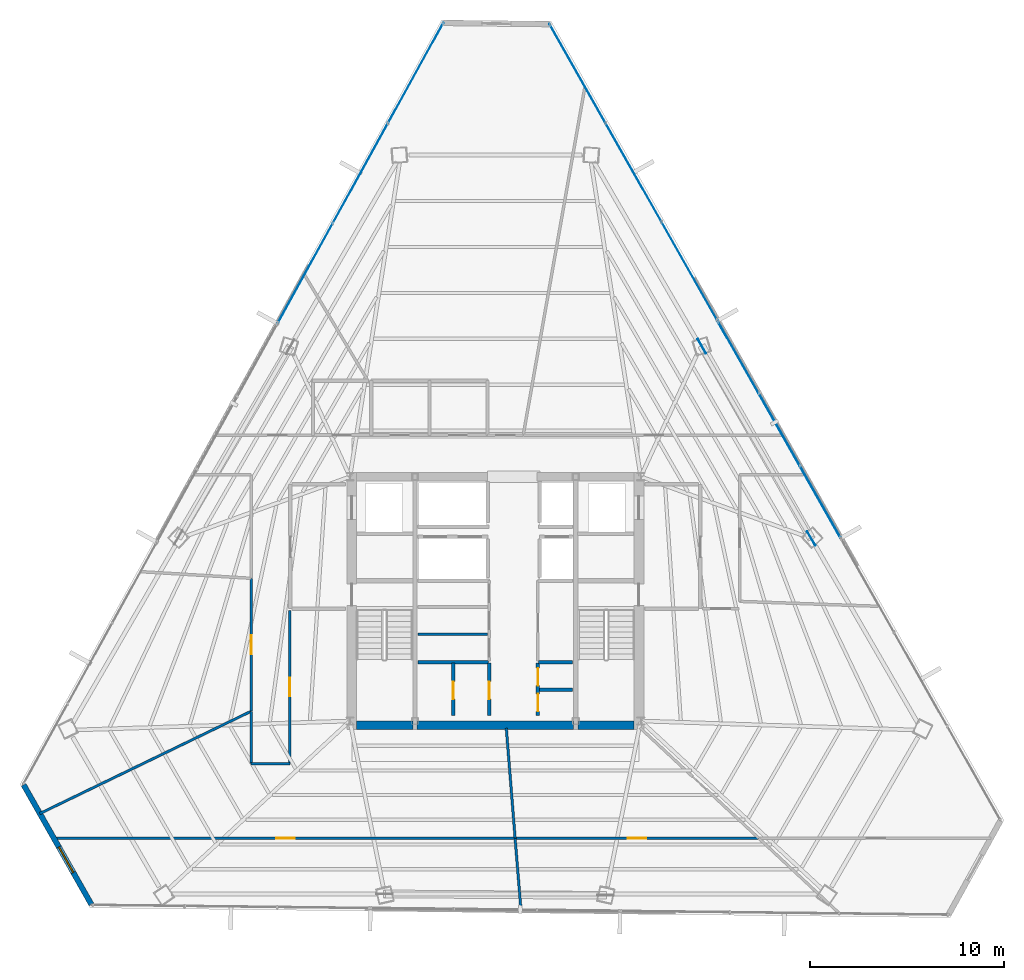
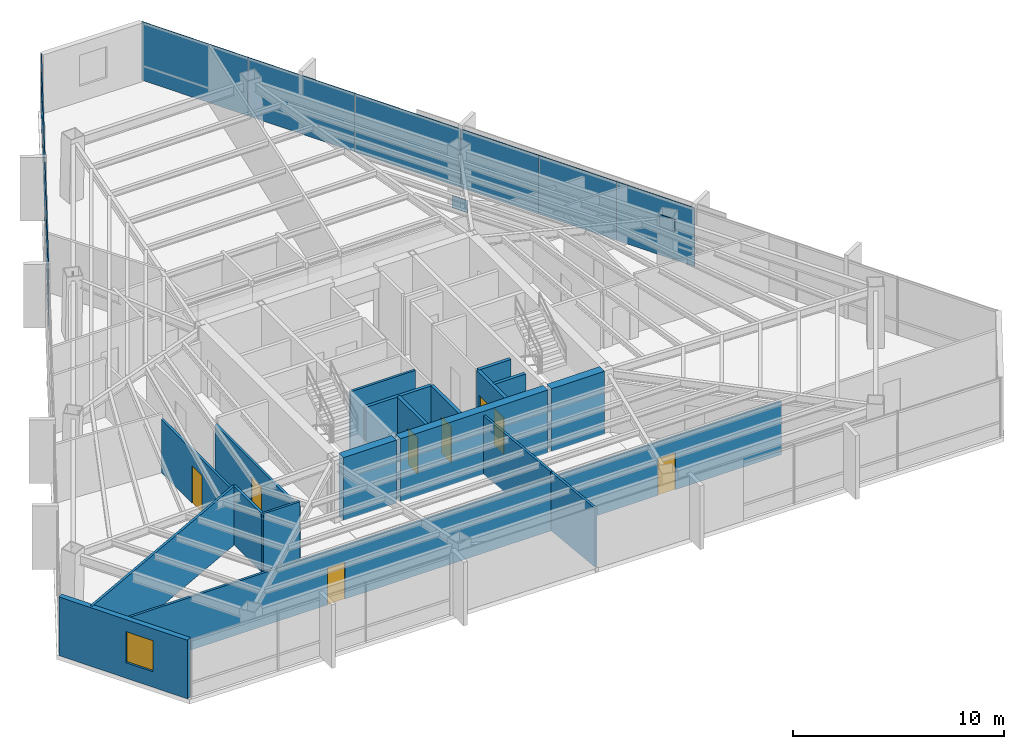
# One storey, part 35 of 41: 20 walls, 11 plates, 8 doors, 1 window, 9 openings, 3 elements without a shape of their own.
"""IFC4 building model written with IfcOpenShell, lengths in metres."""

import ifcopenshell
import ifcopenshell.guid

model = None  # the IFC model being written
_history = None  # IfcOwnerHistory: only IFC2X3 demands one
_inside = {}  # id of a spatial element -> (the spatial element, [elements in it])
_under = {}  # id of a project, library or spatial element -> (it, [spatial elements below it])
_declared = {}  # id of a project -> (the project, [libraries it declares])
_typed = {}  # id of a type object -> (the type object, [elements of that type])
_made_of = {}  # id of a material, layer set ... -> (it, [elements and type objects made of it])


def new_model(schema):
    """Start an empty IFC model of exactly this schema.

    Asked for "IFC4X3", IfcOpenShell would pick the latest addendum, in which some entities
    have other attributes; the version numbers below select the first issue.
    IFC2X3 requires an IfcOwnerHistory on every rooted entity: one is made here for all.
    """
    global model, _history
    if schema == "IFC4X3":
        model = ifcopenshell.file(schema_version=(4, 3, 0, 0))
    else:
        model = ifcopenshell.file(schema=schema)
    _inside.clear()
    _under.clear()
    _declared.clear()
    _typed.clear()
    _made_of.clear()
    _history = None
    if model.schema == "IFC2X3":
        org = make("IfcOrganization", Name="unknown")
        user = make(
            "IfcPersonAndOrganization",
            ThePerson=make("IfcPerson", FamilyName="unknown"),
            TheOrganization=org,
        )
        app = make(
            "IfcApplication",
            ApplicationDeveloper=org,
            Version="unknown",
            ApplicationFullName="unknown",
            ApplicationIdentifier="unknown",
        )
        _history = make(
            "IfcOwnerHistory",
            OwningUser=user,
            OwningApplication=app,
            ChangeAction="ADDED",
            CreationDate=0,
        )
    return model


def make(cls, **values):
    """One entity of the class cls with the attributes given. An attribute that is None is left unset."""
    return model.create_entity(
        cls, **{name: value for name, value in values.items() if value is not None}
    )


def rooted(cls, **values):
    """An entity with a GlobalId (a new one), such as an element, a storey or a relation."""
    return make(cls, GlobalId=ifcopenshell.guid.new(), OwnerHistory=_history, **values)


def si_unit(unit_type, name, prefix=None):
    """IfcSIUnit, for example si_unit("LENGTHUNIT", "METRE", prefix="MILLI")."""
    return make("IfcSIUnit", UnitType=unit_type, Prefix=prefix, Name=name)


def assignment(units):
    """IfcUnitAssignment: the units of a project."""
    return None if units is None else make("IfcUnitAssignment", Units=units)


def point(xyz):
    """IfcCartesianPoint."""
    return None if xyz is None else make("IfcCartesianPoint", Coordinates=xyz)


def direction(xyz):
    """IfcDirection."""
    return None if xyz is None else make("IfcDirection", DirectionRatios=xyz)


def frame(location, z_axis=None, x_axis=None):
    """IfcAxis2Placement3D, a coordinate frame: its origin and axes. An axis left out is left unset."""
    return make(
        "IfcAxis2Placement3D",
        Location=point(location),
        Axis=direction(z_axis),
        RefDirection=direction(x_axis),
    )


def frame_2d(location, x_axis=None):
    """IfcAxis2Placement2D, a coordinate frame in the plane: its origin and x axis."""
    return make(
        "IfcAxis2Placement2D", Location=point(location), RefDirection=direction(x_axis)
    )


def origin():
    """The frame at (0, 0, 0) with its axes left unset."""
    return frame((0.0, 0.0, 0.0))


def origin_2d():
    """The frame at (0, 0) in the plane with its x axis left unset."""
    return frame_2d((0.0, 0.0))


def place(relative_to, where):
    """IfcLocalPlacement: puts the frame where relative to a parent placement (None: the world)."""
    return make(
        "IfcLocalPlacement", PlacementRelTo=relative_to, RelativePlacement=where
    )


def context(
    kind, dimensions, precision=None, world=None, true_north=None, identifier=None
):
    """IfcGeometricRepresentationContext, for example the 3D "Model" context."""
    return make(
        "IfcGeometricRepresentationContext",
        ContextIdentifier=identifier,
        ContextType=kind,
        CoordinateSpaceDimension=dimensions,
        Precision=precision,
        WorldCoordinateSystem=world,
        TrueNorth=true_north,
    )


def subcontext(parent, identifier, kind, view, scale=None):
    """IfcGeometricRepresentationSubContext, for example "Body" below "Model"."""
    return make(
        "IfcGeometricRepresentationSubContext",
        ContextIdentifier=identifier,
        ContextType=kind,
        ParentContext=parent,
        TargetScale=scale,
        TargetView=view,
    )


def project(units=None, contexts=None):
    """IfcProject with its units and contexts."""
    return rooted(
        "IfcProject",
        Name="project",
        RepresentationContexts=contexts,
        UnitsInContext=assignment(units),
    )


def spatial(cls, under=None, at=None, **own):
    """A site, building, storey or space (cls), placed at a placement, below another one or the project."""
    s = rooted(cls, ObjectPlacement=at, **own)
    if under is not None:
        _under.setdefault(under.id(), (under, []))[1].append(s)
    return s


def profile(cls, at=None, kind="AREA", **sizes):
    """A parametric profile (cls). Its sizes go by their IFC names, for example OverallWidth=200.0."""
    return make(cls, ProfileType=kind, Position=at, **sizes)


def rectangle(**sizes):
    """IfcRectangleProfileDef."""
    return profile("IfcRectangleProfileDef", **sizes)


def extrude(swept, where, along, depth):
    """IfcExtrudedAreaSolid: the profile swept, set in the frame where, extruded along a direction by depth."""
    return make(
        "IfcExtrudedAreaSolid",
        SweptArea=swept,
        Position=where,
        ExtrudedDirection=direction(along),
        Depth=depth,
    )


def shape(context_of_items, identifier, shape_type, items):
    """IfcShapeRepresentation: the items that make up one representation, for example the "Body"."""
    return make(
        "IfcShapeRepresentation",
        ContextOfItems=context_of_items,
        RepresentationIdentifier=identifier,
        RepresentationType=shape_type,
        Items=items,
    )


def source(mapping_origin, context_of_items, identifier, shape_type, items):
    """IfcRepresentationMap: a shape defined once, which mapped items show again and again."""
    return make(
        "IfcRepresentationMap",
        MappingOrigin=mapping_origin,
        MappedRepresentation=shape(context_of_items, identifier, shape_type, items),
    )


def transform(
    local_origin,
    x_axis=None,
    y_axis=None,
    z_axis=None,
    scale=None,
    scale2=None,
    scale3=None,
    uniform=True,
):
    """IfcCartesianTransformationOperator3D, or its non-uniform kind. x_axis, y_axis, z_axis: its Axis1, 2, 3."""
    if uniform:
        return make(
            "IfcCartesianTransformationOperator3D",
            Axis1=direction(x_axis),
            Axis2=direction(y_axis),
            LocalOrigin=point(local_origin),
            Scale=scale,
            Axis3=direction(z_axis),
        )
    return make(
        "IfcCartesianTransformationOperator3DnonUniform",
        Axis1=direction(x_axis),
        Axis2=direction(y_axis),
        LocalOrigin=point(local_origin),
        Scale=scale,
        Axis3=direction(z_axis),
        Scale2=scale2,
        Scale3=scale3,
    )


def mapped(mapping_source, mapping_target):
    """IfcMappedItem: shows the shape of a source again, moved by a transform."""
    return make(
        "IfcMappedItem", MappingSource=mapping_source, MappingTarget=mapping_target
    )


def material(Name=None, Category=None):
    """IfcMaterial."""
    return make("IfcMaterial", Name=Name, Category=Category)


def layer(
    of_material, thickness, ventilated=None, Name=None, Category=None, Priority=None
):
    """IfcMaterialLayer: one layer of a wall or slab, of a material (None: an air gap)."""
    return make(
        "IfcMaterialLayer",
        Material=of_material,
        LayerThickness=thickness,
        IsVentilated=ventilated,
        Name=Name,
        Category=Category,
        Priority=Priority,
    )


def layer_set(layers, Name=None):
    """IfcMaterialLayerSet."""
    return make("IfcMaterialLayerSet", MaterialLayers=layers, LayerSetName=Name)


def made_of(thing, what):
    """Note that an element or type object is made of a material, layer set ...; save() writes the relation."""
    if what is not None:
        _made_of.setdefault(what.id(), (what, []))[1].append(thing)
    return thing


def type_object(cls, material=None, **own):
    """A type object (cls), such as IfcWallType, which elements share."""
    return made_of(rooted(cls, **own), material)


def type_shapes(of_type, sources):
    """Give a type object the sources (RepresentationMaps) that its elements show as mapped items."""
    of_type.RepresentationMaps = sources


def element(
    cls,
    number,
    at=None,
    inside=None,
    cuts=None,
    type_object=None,
    material=None,
    context=None,
    identifier="Body",
    shape_type=None,
    held_by="IfcProductDefinitionShape",
    body=None,
    shapes=None,
    **own,
):
    """One element of the class cls, such as IfcWall. Its Tag is "e" and its number.

    at: its placement. inside: the storey or other place that contains it. cuts: it is an
    opening in that element (IfcRelVoidsElement). A single representation is given by context,
    identifier, shape_type and body (its items); several are given by shapes. held_by: the class
    of the entity that holds the representations. save() writes the other relations.
    """
    e = rooted(cls, Tag="e%d" % number, ObjectPlacement=at, **own)
    if body is not None:
        shapes = [shape(context, identifier, shape_type, body)]
    if shapes is not None:
        e.Representation = make(held_by, Representations=shapes)
    if inside is not None:
        _inside.setdefault(inside.id(), (inside, []))[1].append(e)
    if cuts is not None:
        rooted(
            "IfcRelVoidsElement", RelatingBuildingElement=cuts, RelatedOpeningElement=e
        )
    if type_object is not None:
        _typed.setdefault(type_object.id(), (type_object, []))[1].append(e)
    return made_of(e, material)


def fill(opening, filler):
    """IfcRelFillsElement: the door or window that sits in an opening."""
    return rooted(
        "IfcRelFillsElement",
        RelatingOpeningElement=opening,
        RelatedBuildingElement=filler,
    )


def aggregate(whole, parts):
    """IfcRelAggregates: a whole, such as a stair, and the parts it consists of."""
    return rooted("IfcRelAggregates", RelatingObject=whole, RelatedObjects=parts)


def save(model, path):
    """Write the relations noted so far, then the file.

    IfcRelAggregates (storeys below a building ...), IfcRelContainedInSpatialStructure (elements
    in a storey), IfcRelDefinesByType, IfcRelAssociatesMaterial and IfcRelDeclares: one each for
    every whole, place, type object, material and project.
    """
    for whole, parts in _under.values():
        aggregate(whole, parts)
    for where, things in _inside.values():
        rooted(
            "IfcRelContainedInSpatialStructure",
            RelatedElements=things,
            RelatingStructure=where,
        )
    for kind, things in _typed.values():
        rooted("IfcRelDefinesByType", RelatedObjects=things, RelatingType=kind)
    for what, things in _made_of.values():
        rooted("IfcRelAssociatesMaterial", RelatedObjects=things, RelatingMaterial=what)
    for by, libraries in _declared.values():
        rooted("IfcRelDeclares", RelatingContext=by, RelatedDefinitions=libraries)
    model.write(path)


model = new_model("IFC4")

# Units and contexts
model_context = context("Model", 3, precision=1e-05, world=origin(), true_north=direction((0.0, 1.0)))
body_context = subcontext(model_context, "Body", "Model", "MODEL_VIEW")
ifc_project = project(units=[si_unit("LENGTHUNIT", "METRE"), si_unit("AREAUNIT", "SQUARE_METRE"), si_unit("VOLUMEUNIT", "CUBIC_METRE"), si_unit("PLANEANGLEUNIT", "RADIAN"), si_unit("MASSUNIT", "GRAM", prefix="KILO")], contexts=[model_context])

# Site, building, storey
site_placement = place(None, origin())
site = spatial("IfcSite", under=ifc_project, at=site_placement, CompositionType="ELEMENT")
building_placement = place(site_placement, origin())
building = spatial("IfcBuilding", under=site, at=building_placement, Name="Caelisora Broadcast Tower", CompositionType="ELEMENT")
storey_placement = place(building_placement, frame((0.0, 0.0, 209.60009765625)))
storey = spatial("IfcBuildingStorey", under=building, at=storey_placement, Name="L55", CompositionType="ELEMENT", Elevation=209.60009765625)

# Plates
ifc_material_1 = material(Name="Steel Grade 350 L15 (AS/NZS 3678)", Category="steel")
ifc_layer_1 = layer(ifc_material_1, 0.0400390625, Name="Steel Grade 350 L15 (AS/NZS 3678)")
ifc_layer_set_1 = layer_set([ifc_layer_1], Name="Steel Grade 350 L15 (AS/NZS 3678)")
plate_type_1 = type_object("IfcPlateType", Name="GP04", PredefinedType="USERDEFINED", material=ifc_layer_set_1)
shared_shape_1 = source(origin(), body_context, "Body", "SweptSolid", [
    extrude(rectangle(XDim=0.85009765625, YDim=0.0400390625, at=origin_2d()), origin(), (0.0, 0.0, 1.0), 0.699951171875),
])
type_shapes(plate_type_1, [shared_shape_1])
for number, where, z_axis, x_axis, name in (
    (1, (54.298583984375, 26.815673828125, 2.72998046875), (0.0, 0.0, 1.0), (-0.5, 0.866025403784, 0.0), "L55 gusset plate GP04 (ND-L55-C10T)"),
    (2, (48.658447265625, 36.72900390625, -0.22998046875), (0.0, 0.0, 1.0), (-0.5, 0.866025403784, 0.0), "L55 gusset plate GP04 (ND-L55-C11B)"),
):
    element("IfcPlate", number, at=place(storey_placement, frame(where, z_axis=z_axis, x_axis=x_axis)), inside=storey, type_object=plate_type_1, Name=name, ObjectType="GUSSET PLATE", PredefinedType="USERDEFINED", context=body_context, shape_type="MappedRepresentation", body=[
        mapped(shared_shape_1, transform((0.0, 0.0, 0.0), scale=1.0)),
    ])

# Curtain wall, plates
ifc_material_2 = material(Name="Unitised Aluminium and Low-E Glass Curtain Wall", Category="glass")
curtain_wall_type_1 = type_object("IfcCurtainWallType", Name="CW-Z4", PredefinedType="NOTDEFINED", material=ifc_material_2)
curtain_wall_1_placement = place(storey_placement, origin())
curtain_wall_1 = element("IfcCurtainWall", 3, at=curtain_wall_1_placement, inside=storey, type_object=curtain_wall_type_1, Name="L55 curtain wall CW-Z4", PredefinedType="NOTDEFINED")
ifc_material_3 = material(Name="Double Glazed Low-E Argon IGU", Category="glass")
ifc_layer_2 = layer(ifc_material_3, 0.030029296875, Name="Double Glazed Low-E Argon IGU")
ifc_layer_set_2 = layer_set([ifc_layer_2], Name="Double Glazed Low-E Argon IGU")
plate_type_2 = type_object("IfcPlateType", Name="CWP-05", PredefinedType="CURTAIN_PANEL", material=ifc_layer_set_2)
shared_shape_2 = source(origin(), body_context, "Body", "SweptSolid", [
    extrude(rectangle(XDim=5.860595703125, YDim=0.030029296875, at=origin_2d()), origin(), (0.0, 0.0, 1.0), 3.39990234375),
])
plate_1_placement = place(storey_placement, frame((42.239501953125, 50.799560546875, 0.0), z_axis=(0.0, 0.0, 1.0), x_axis=(0.493031062956, -0.87001170737, 0.0)))
plate_1 = element("IfcPlate", 4, at=plate_1_placement, type_object=plate_type_2, Name="L55-CW-B01 glazed panel #1", PredefinedType="CURTAIN_PANEL", context=body_context, shape_type="MappedRepresentation", body=[
    mapped(shared_shape_2, transform((0.0, 0.0, 0.0), scale=1.0)),
])
plate_2_placement = place(storey_placement, frame((45.128662109375, 45.70068359375, 0.0), z_axis=(0.0, 0.0, 1.0), x_axis=(0.493031062956, -0.87001170737, 0.0)))
plate_2 = element("IfcPlate", 5, at=plate_2_placement, type_object=plate_type_2, Name="L55-CW-B01 glazed panel #2", PredefinedType="CURTAIN_PANEL", context=body_context, shape_type="MappedRepresentation", body=[
    mapped(shared_shape_2, transform((0.0, 0.0, 0.0), scale=1.0)),
])
plate_3_placement = place(storey_placement, frame((48.017578125, 40.601806640625, 0.0), z_axis=(0.0, 0.0, 1.0), x_axis=(0.493031062956, -0.87001170737, 0.0)))
plate_3 = element("IfcPlate", 6, at=plate_3_placement, type_object=plate_type_2, Name="L55-CW-B01 glazed panel #3", PredefinedType="CURTAIN_PANEL", context=body_context, shape_type="MappedRepresentation", body=[
    mapped(shared_shape_2, transform((0.0, 0.0, 0.0), scale=1.0)),
])
aggregate(curtain_wall_1, [plate_1, plate_2, plate_3])

ifc_material_4 = material(Name="Unitised Aluminium Insulated Shadow-Box Spandrel Curtain Wall", Category="aluminium")
curtain_wall_type_2 = type_object("IfcCurtainWallType", Name="CW-SP2", PredefinedType="NOTDEFINED", material=ifc_material_4)
curtain_wall_2_placement = place(storey_placement, origin())
curtain_wall_2 = element("IfcCurtainWall", 7, at=curtain_wall_2_placement, inside=storey, type_object=curtain_wall_type_2, Name="L55 curtain wall CW-SP2", PredefinedType="NOTDEFINED")
ifc_material_5 = material(Name="Insulated Terracotta Shadow-Box Spandrel Panel", Category="aluminium")
ifc_layer_3 = layer(ifc_material_5, 0.0439453125, Name="Insulated Terracotta Shadow-Box Spandrel Panel")
ifc_layer_set_3 = layer_set([ifc_layer_3], Name="Insulated Terracotta Shadow-Box Spandrel Panel")
plate_type_3 = type_object("IfcPlateType", Name="CWP-10", PredefinedType="CURTAIN_PANEL", material=ifc_layer_set_3)
shared_shape_3 = source(origin(), body_context, "Body", "SweptSolid", [
    extrude(rectangle(XDim=4.29296875, YDim=0.0439453125, at=origin_2d()), origin(), (0.0, 0.0, 1.0), 3.39990234375),
])
type_shapes(plate_type_3, [shared_shape_3])
plate_4_placement = place(storey_placement, frame((50.525390625, 36.176025390625, 0.0), z_axis=(0.0, 0.0, 1.0), x_axis=(0.493031062956, -0.87001170737, 0.0)))
plate_4 = element("IfcPlate", 8, at=plate_4_placement, type_object=plate_type_3, Name="L55-CW-B02 spandrel panel #1", PredefinedType="CURTAIN_PANEL", context=body_context, shape_type="MappedRepresentation", body=[
    mapped(shared_shape_3, transform((0.0, 0.0, 0.0), scale=1.0)),
])
plate_5_placement = place(storey_placement, frame((52.6416015625, 32.441162109375, 0.0), z_axis=(0.0, 0.0, 1.0), x_axis=(0.493031062956, -0.87001170737, 0.0)))
plate_5 = element("IfcPlate", 9, at=plate_5_placement, type_object=plate_type_3, Name="L55-CW-B02 spandrel panel #2", PredefinedType="CURTAIN_PANEL", context=body_context, shape_type="MappedRepresentation", body=[
    mapped(shared_shape_3, transform((0.0, 0.0, 0.0), scale=1.0)),
])
plate_6_placement = place(storey_placement, frame((54.7578125, 28.7060546875, 0.0), z_axis=(0.0, 0.0, 1.0), x_axis=(0.493031062956, -0.87001170737, 0.0)))
plate_6 = element("IfcPlate", 10, at=plate_6_placement, type_object=plate_type_3, Name="L55-CW-B02 spandrel panel #3", PredefinedType="CURTAIN_PANEL", context=body_context, shape_type="MappedRepresentation", body=[
    mapped(shared_shape_3, transform((0.0, 0.0, 0.0), scale=1.0)),
])
aggregate(curtain_wall_2, [plate_4, plate_5, plate_6])

curtain_wall_3_placement = place(storey_placement, origin())
curtain_wall_3 = element("IfcCurtainWall", 11, at=curtain_wall_3_placement, inside=storey, type_object=curtain_wall_type_1, Name="L55 curtain wall CW-Z4", PredefinedType="NOTDEFINED")
shared_shape_4 = source(origin(), body_context, "Body", "SweptSolid", [
    extrude(rectangle(XDim=5.9013671875, YDim=0.030029296875, at=origin_2d()), origin(), (0.0, 0.0, 1.0), 3.39990234375),
])
type_shapes(plate_type_2, [shared_shape_2, shared_shape_4])
plate_7_placement = place(storey_placement, frame((28.19091796875, 40.49267578125, 0.0), z_axis=(0.0, 0.0, 1.0), x_axis=(0.482976759048, 0.875633171036, 0.0)))
plate_7 = element("IfcPlate", 12, at=plate_7_placement, type_object=plate_type_2, Name="L55-CW-B11 glazed panel #1", PredefinedType="CURTAIN_PANEL", context=body_context, shape_type="MappedRepresentation", body=[
    mapped(shared_shape_4, transform((0.0, 0.0, 0.0), scale=1.0)),
])
plate_8_placement = place(storey_placement, frame((31.04150390625, 45.659912109375, 0.0), z_axis=(0.0, 0.0, 1.0), x_axis=(0.482976759048, 0.875633171036, 0.0)))
plate_8 = element("IfcPlate", 13, at=plate_8_placement, type_object=plate_type_2, Name="L55-CW-B11 glazed panel #2", PredefinedType="CURTAIN_PANEL", context=body_context, shape_type="MappedRepresentation", body=[
    mapped(shared_shape_4, transform((0.0, 0.0, 0.0), scale=1.0)),
])
plate_9_placement = place(storey_placement, frame((33.891845703125, 50.827392578125, 0.0), z_axis=(0.0, 0.0, 1.0), x_axis=(0.482976759048, 0.875633171036, 0.0)))
plate_9 = element("IfcPlate", 14, at=plate_9_placement, type_object=plate_type_2, Name="L55-CW-B11 glazed panel #3", PredefinedType="CURTAIN_PANEL", context=body_context, shape_type="MappedRepresentation", body=[
    mapped(shared_shape_4, transform((0.0, 0.0, 0.0), scale=1.0)),
])
aggregate(curtain_wall_3, [plate_7, plate_8, plate_9])

# Walls
ifc_material_6 = material(Name="Concrete 50 MPa (AS 3600 S50)", Category="concrete")
ifc_layer_4 = layer(ifc_material_6, 0.449951171875, Name="Concrete 50 MPa (AS 3600 S50)")
ifc_layer_set_4 = layer_set([ifc_layer_4], Name="Concrete 50 MPa (AS 3600 S50)")
wall_type_1 = type_object("IfcWallType", Name="CW5", PredefinedType="SHEAR", material=ifc_layer_set_4)
wall_1_placement = place(storey_placement, frame((30.840087890625, 17.175048828125, 0.0), z_axis=(0.0, 0.0, 1.0), x_axis=(1.0, 0.0, 0.0)))
element("IfcWall", 15, at=wall_1_placement, inside=storey, type_object=wall_type_1, Name="L55 core shear wall CW5", PredefinedType="SHEAR", context=body_context, shape_type="SweptSolid", body=[
    extrude(rectangle(XDim=2.89990234375, YDim=0.449951171875, at=frame_2d((1.449951171875, 0.0))), origin(), (0.0, 0.0, 1.0), 3.64990234375),
])
wall_2_placement = place(storey_placement, frame((33.9599609375, 17.175048828125, 0.0), z_axis=(0.0, 0.0, 1.0), x_axis=(1.0, 0.0, 0.0)))
element("IfcWall", 16, at=wall_2_placement, inside=storey, type_object=wall_type_1, Name="L55 core shear wall CW5", PredefinedType="SHEAR", context=body_context, shape_type="SweptSolid", body=[
    extrude(rectangle(XDim=8.080078125, YDim=0.449951171875, at=frame_2d((4.0400390625, 0.0))), origin(), (0.0, 0.0, 1.0), 3.64990234375),
])
wall_3_placement = place(storey_placement, frame((42.260009765625, 17.175048828125, 0.0), z_axis=(0.0, 0.0, 1.0), x_axis=(1.0, 0.0, 0.0)))
element("IfcWall", 17, at=wall_3_placement, inside=storey, type_object=wall_type_1, Name="L55 core shear wall CW5", PredefinedType="SHEAR", context=body_context, shape_type="SweptSolid", body=[
    extrude(rectangle(XDim=2.89990234375, YDim=0.449951171875, at=frame_2d((1.449951171875, 0.0))), origin(), (0.0, 0.0, 1.0), 3.64990234375),
])

# Wall, opening, window
ifc_material_7 = material(Name="Insulated Terracotta Spandrel Wall System", Category="masonry")
ifc_layer_5 = layer(ifc_material_7, 0.280029296875, Name="Insulated Terracotta Spandrel Wall System")
ifc_layer_set_5 = layer_set([ifc_layer_5], Name="Insulated Terracotta Spandrel Wall System")
wall_type_2 = type_object("IfcWallType", Name="EW1", PredefinedType="STANDARD", material=ifc_layer_set_5)
wall_4_placement = place(storey_placement, frame((17.162109375, 7.93212890625, 0.0), z_axis=(0.0, 0.0, 1.0), x_axis=(-0.492885817922, 0.870094000951, 0.0)))
wall_4 = element("IfcWall", 18, at=wall_4_placement, inside=storey, type_object=wall_type_2, Name="L55 exterior envelope wall EW1", PredefinedType="STANDARD", context=body_context, shape_type="SweptSolid", body=[
    extrude(rectangle(XDim=7.095703125, YDim=0.280029296875, at=frame_2d((3.5478515625, 0.0))), origin(), (0.0, 0.0, 1.0), 3.39990234375),
])
opening_1_placement = place(wall_4_placement, frame((1.89990234375, 0.0, 0.89990234375)))
opening_1 = element("IfcOpeningElement", 19, at=opening_1_placement, cuts=wall_4, Name="Opening W02", PredefinedType="OPENING", context=body_context, shape_type="SweptSolid", body=[
    extrude(rectangle(XDim=1.5, YDim=1.800048828125, at=frame_2d((0.75, 0.89990234375))), frame((0.0, 0.152099609375, 0.0), z_axis=(0.0, -1.0, 0.0), x_axis=(1.0, 0.0, 0.0)), (0.0, 0.0, 1.0), 0.303955078125),
])
ifc_material_8 = material(Name="Double Glazed Terracotta-Framed Vision Window", Category="glass")
window_type = type_object("IfcWindowType", Name="W02", PartitioningType="SINGLE_PANEL", PredefinedType="WINDOW", material=ifc_material_8)
window_placement = place(opening_1_placement, origin())
window = element("IfcWindow", 20, at=window_placement, inside=storey, type_object=window_type, Name="L55 window W02 (L55-WN-CH4)", OverallHeight=1.800048828125, OverallWidth=1.5, PartitioningType="SINGLE_PANEL", PredefinedType="WINDOW", context=body_context, shape_type="SweptSolid", body=[
    extrude(rectangle(XDim=1.5, YDim=1.800048828125, at=frame_2d((0.75, 0.89990234375))), frame((0.0, 0.030029296875, 0.0), z_axis=(0.0, -1.0, 0.0), x_axis=(1.0, 0.0, 0.0)), (0.0, 0.0, 1.0), 0.06005859375),
])
fill(opening_1, window)

# Walls
ifc_material_9 = material(Name="Fire-Rated Gypsum Shaft and Compartment Wall", Category="gypsum")
ifc_layer_6 = layer(ifc_material_9, 0.179931640625, Name="Fire-Rated Gypsum Shaft and Compartment Wall")
ifc_layer_set_6 = layer_set([ifc_layer_6], Name="Fire-Rated Gypsum Shaft and Compartment Wall")
wall_type_3 = type_object("IfcWallType", Name="PW2", PredefinedType="PARTITIONING", material=ifc_layer_set_6)
wall_5_placement = place(storey_placement, frame((34.02001953125, 20.419921875, 0.0), z_axis=(0.0, 0.0, 1.0), x_axis=(1.0, 0.0, 0.0)))
element("IfcWall", 21, at=wall_5_placement, inside=storey, type_object=wall_type_3, Name="L55 fire compartment wall PW2", PredefinedType="PARTITIONING", context=body_context, shape_type="SweptSolid", body=[
    extrude(rectangle(XDim=3.639892578125, YDim=0.179931640625, at=frame_2d((1.81982421875, 0.0))), origin(), (0.0, 0.0, 1.0), 3.39990234375),
])
wall_6_placement = place(storey_placement, frame((40.219970703125, 20.419921875, 0.0), z_axis=(0.0, 0.0, 1.0), x_axis=(1.0, 0.0, 0.0)))
element("IfcWall", 22, at=wall_6_placement, inside=storey, type_object=wall_type_3, Name="L55 fire compartment wall PW2", PredefinedType="PARTITIONING", context=body_context, shape_type="SweptSolid", body=[
    extrude(rectangle(XDim=1.760009765625, YDim=0.179931640625, at=frame_2d((0.8798828125, 0.0))), origin(), (0.0, 0.0, 1.0), 3.39990234375),
])

# Wall, opening, door
wall_7_placement = place(storey_placement, frame((35.840087890625, 17.679931640625, 0.0), z_axis=(0.0, 0.0, 1.0), x_axis=(0.0, 1.0, 0.0)))
wall_7 = element("IfcWall", 23, at=wall_7_placement, inside=storey, type_object=wall_type_3, Name="L55 fire compartment wall PW2", PredefinedType="PARTITIONING", context=body_context, shape_type="SweptSolid", body=[
    extrude(rectangle(XDim=2.699951171875, YDim=0.179931640625, at=frame_2d((1.35009765625, 0.0))), origin(), (0.0, 0.0, 1.0), 3.39990234375),
])
opening_2_placement = place(wall_7_placement, frame((0.85009765625, 0.0, 0.0)))
opening_2 = element("IfcOpeningElement", 24, at=opening_2_placement, cuts=wall_7, Name="Opening FD03", PredefinedType="OPENING", context=body_context, shape_type="SweptSolid", body=[
    extrude(rectangle(XDim=0.89990234375, YDim=2.10009765625, at=frame_2d((0.449951171875, 1.050048828125))), frame((0.0, 0.10205078125, 0.0), z_axis=(0.0, -1.0, 0.0), x_axis=(1.0, 0.0, 0.0)), (0.0, 0.0, 1.0), 0.203857421875),
])
ifc_material_10 = material(Name="Single-Leaf Steel Riser Fire Access Door", Category="steel")
door_type_1 = type_object("IfcDoorType", Name="FD03", OperationType="NOTDEFINED", PredefinedType="DOOR", material=ifc_material_10)
door_1_placement = place(opening_2_placement, origin())
door_1 = element("IfcDoor", 25, at=door_1_placement, inside=storey, type_object=door_type_1, Name="L55 door FD03 (L55-DR-P15D1)", OperationType="SINGLE_SWING_LEFT", OverallHeight=2.10009765625, OverallWidth=0.89990234375, PredefinedType="DOOR", context=body_context, shape_type="SweptSolid", body=[
    extrude(rectangle(XDim=0.89990234375, YDim=2.10009765625, at=frame_2d((0.449951171875, 1.050048828125))), frame((0.0, 0.02490234375, 0.0), z_axis=(0.0, -1.0, 0.0), x_axis=(1.0, 0.0, 0.0)), (0.0, 0.0, 1.0), 0.050048828125),
])
fill(opening_2, door_1)

wall_8_placement = place(storey_placement, frame((37.679931640625, 17.679931640625, 0.0), z_axis=(0.0, 0.0, 1.0), x_axis=(0.0, 1.0, 0.0)))
wall_8 = element("IfcWall", 26, at=wall_8_placement, inside=storey, type_object=wall_type_3, Name="L55 fire compartment wall PW2", PredefinedType="PARTITIONING", context=body_context, shape_type="SweptSolid", body=[
    extrude(rectangle(XDim=2.699951171875, YDim=0.179931640625, at=frame_2d((1.35009765625, 0.0))), origin(), (0.0, 0.0, 1.0), 3.39990234375),
])
opening_3_placement = place(wall_8_placement, frame((0.85009765625, 0.0, 0.0)))
opening_3 = element("IfcOpeningElement", 27, at=opening_3_placement, cuts=wall_8, Name="Opening FD03", PredefinedType="OPENING", context=body_context, shape_type="SweptSolid", body=[
    extrude(rectangle(XDim=0.89990234375, YDim=2.10009765625, at=frame_2d((0.449951171875, 1.050048828125))), frame((0.0, 0.10205078125, 0.0), z_axis=(0.0, -1.0, 0.0), x_axis=(1.0, 0.0, 0.0)), (0.0, 0.0, 1.0), 0.203857421875),
])
door_2_placement = place(opening_3_placement, origin())
door_2 = element("IfcDoor", 28, at=door_2_placement, inside=storey, type_object=door_type_1, Name="L55 door FD03 (L55-DR-P16D1)", OperationType="SINGLE_SWING_RIGHT", OverallHeight=2.10009765625, OverallWidth=0.89990234375, PredefinedType="DOOR", context=body_context, shape_type="SweptSolid", body=[
    extrude(rectangle(XDim=0.89990234375, YDim=2.10009765625, at=frame_2d((0.449951171875, 1.050048828125))), frame((0.0, 0.02490234375, 0.0), z_axis=(0.0, -1.0, 0.0), x_axis=(1.0, 0.0, 0.0)), (0.0, 0.0, 1.0), 0.050048828125),
])
fill(opening_3, door_2)

# Wall
wall_9_placement = place(storey_placement, frame((40.280029296875, 19.02001953125, 0.0), z_axis=(0.0, 0.0, 1.0), x_axis=(1.0, 0.0, 0.0)))
element("IfcWall", 29, at=wall_9_placement, inside=storey, type_object=wall_type_3, Name="L55 fire compartment wall PW2", PredefinedType="PARTITIONING", context=body_context, shape_type="SweptSolid", body=[
    extrude(rectangle(XDim=1.699951171875, YDim=0.179931640625, at=frame_2d((0.85009765625, 0.0))), origin(), (0.0, 0.0, 1.0), 3.39990234375),
])

# Wall, openings, doors
wall_10_placement = place(storey_placement, frame((40.199951171875, 17.679931640625, 0.0), z_axis=(0.0, 0.0, 1.0), x_axis=(0.0, 1.0, 0.0)))
wall_10 = element("IfcWall", 30, at=wall_10_placement, inside=storey, type_object=wall_type_3, Name="L55 fire compartment wall PW2", PredefinedType="PARTITIONING", context=body_context, shape_type="SweptSolid", body=[
    extrude(rectangle(XDim=2.699951171875, YDim=0.179931640625, at=frame_2d((1.35009765625, 0.0))), origin(), (0.0, 0.0, 1.0), 3.39990234375),
])
opening_4_placement = place(wall_10_placement, frame((0.219970703125, 0.0, 0.0)))
opening_4 = element("IfcOpeningElement", 31, at=opening_4_placement, cuts=wall_10, Name="Opening FD03", PredefinedType="OPENING", context=body_context, shape_type="SweptSolid", body=[
    extrude(rectangle(XDim=0.89990234375, YDim=2.10009765625, at=frame_2d((0.449951171875, 1.050048828125))), frame((0.0, 0.10205078125, 0.0), z_axis=(0.0, -1.0, 0.0), x_axis=(1.0, 0.0, 0.0)), (0.0, 0.0, 1.0), 0.203857421875),
])
opening_5_placement = place(wall_10_placement, frame((1.5400390625, 0.0, 0.0)))
opening_5 = element("IfcOpeningElement", 32, at=opening_5_placement, cuts=wall_10, Name="Opening FD03", PredefinedType="OPENING", context=body_context, shape_type="SweptSolid", body=[
    extrude(rectangle(XDim=0.89990234375, YDim=2.10009765625, at=frame_2d((0.449951171875, 1.050048828125))), frame((0.0, 0.10205078125, 0.0), z_axis=(0.0, -1.0, 0.0), x_axis=(1.0, 0.0, 0.0)), (0.0, 0.0, 1.0), 0.203857421875),
])
door_3_placement = place(opening_4_placement, origin())
door_3 = element("IfcDoor", 33, at=door_3_placement, inside=storey, type_object=door_type_1, Name="L55 door FD03 (L55-DR-P18D1)", OperationType="SINGLE_SWING_LEFT", OverallHeight=2.10009765625, OverallWidth=0.89990234375, PredefinedType="DOOR", context=body_context, shape_type="SweptSolid", body=[
    extrude(rectangle(XDim=0.89990234375, YDim=2.10009765625, at=frame_2d((0.449951171875, 1.050048828125))), frame((0.0, 0.02490234375, 0.0), z_axis=(0.0, -1.0, 0.0), x_axis=(1.0, 0.0, 0.0)), (0.0, 0.0, 1.0), 0.050048828125),
])
fill(opening_4, door_3)
door_4_placement = place(opening_5_placement, origin())
door_4 = element("IfcDoor", 34, at=door_4_placement, inside=storey, type_object=door_type_1, Name="L55 door FD03 (L55-DR-P18D2)", OperationType="SINGLE_SWING_RIGHT", OverallHeight=2.10009765625, OverallWidth=0.89990234375, PredefinedType="DOOR", context=body_context, shape_type="SweptSolid", body=[
    extrude(rectangle(XDim=0.89990234375, YDim=2.10009765625, at=frame_2d((0.449951171875, 1.050048828125))), frame((0.0, 0.02490234375, 0.0), z_axis=(0.0, -1.0, 0.0), x_axis=(1.0, 0.0, 0.0)), (0.0, 0.0, 1.0), 0.050048828125),
])
fill(opening_5, door_4)

# Wall
ifc_material_11 = material(Name="Acoustic Steel-Stud Plasterboard Partition", Category="gypsum")
ifc_layer_7 = layer(ifc_material_11, 0.1298828125, Name="Acoustic Steel-Stud Plasterboard Partition")
ifc_layer_set_7 = layer_set([ifc_layer_7], Name="Acoustic Steel-Stud Plasterboard Partition")
wall_type_4 = type_object("IfcWallType", Name="PW3", PredefinedType="PARTITIONING", material=ifc_layer_set_7)
wall_11_placement = place(storey_placement, frame((34.02001953125, 21.8798828125, 0.0), z_axis=(0.0, 0.0, 1.0), x_axis=(1.0, 0.0, 0.0)))
element("IfcWall", 35, at=wall_11_placement, inside=storey, type_object=wall_type_4, Name="L55 internal partition PW3", PredefinedType="PARTITIONING", context=body_context, shape_type="SweptSolid", body=[
    extrude(rectangle(XDim=3.580078125, YDim=0.1298828125, at=frame_2d((1.7900390625, 0.0))), origin(), (0.0, 0.0, 1.0), 3.39990234375),
])

# Wall, opening, door
wall_12_placement = place(storey_placement, frame((15.22021484375, 11.35009765625, 0.0), z_axis=(0.0, 0.0, 1.0), x_axis=(1.0, 0.0, 0.0)))
wall_12 = element("IfcWall", 36, at=wall_12_placement, inside=storey, type_object=wall_type_4, Name="L55 internal partition PW3", PredefinedType="PARTITIONING", context=body_context, shape_type="SweptSolid", body=[
    extrude(rectangle(XDim=23.794677734375, YDim=0.1298828125, at=frame_2d((11.8974609375, 0.0))), origin(), (0.0, 0.0, 1.0), 3.07763671875),
])
opening_6_placement = place(wall_12_placement, frame((11.472900390625, 0.0, 0.0)))
opening_6 = element("IfcOpeningElement", 37, at=opening_6_placement, cuts=wall_12, Name="Opening D01", PredefinedType="OPENING", context=body_context, shape_type="SweptSolid", body=[
    extrude(rectangle(XDim=0.9599609375, YDim=2.14990234375, at=frame_2d((0.47998046875, 1.074951171875))), frame((0.0, 0.076904296875, 0.0), z_axis=(0.0, -1.0, 0.0), x_axis=(1.0, 0.0, 0.0)), (0.0, 0.0, 1.0), 0.15380859375),
])
ifc_material_12 = material(Name="Solid-Core Timber Acoustic Office Door", Category="wood")
door_type_2 = type_object("IfcDoorType", Name="D01", OperationType="NOTDEFINED", PredefinedType="DOOR", material=ifc_material_12)
door_5_placement = place(opening_6_placement, origin())
door_5 = element("IfcDoor", 38, at=door_5_placement, inside=storey, type_object=door_type_2, Name="L55 door D01 (L55-DR-P29D1)", OperationType="SINGLE_SWING_RIGHT", OverallHeight=2.14990234375, OverallWidth=0.9599609375, PredefinedType="DOOR", context=body_context, shape_type="SweptSolid", body=[
    extrude(rectangle(XDim=0.9599609375, YDim=2.14990234375, at=frame_2d((0.47998046875, 1.074951171875))), frame((0.0, 0.02490234375, 0.0), z_axis=(0.0, -1.0, 0.0), x_axis=(1.0, 0.0, 0.0)), (0.0, 0.0, 1.0), 0.050048828125),
])
fill(opening_6, door_5)

wall_13_placement = place(storey_placement, frame((39.02490234375, 11.35009765625, 0.0), z_axis=(0.0, 0.0, 1.0), x_axis=(1.0, 0.0, 0.0)))
wall_13 = element("IfcWall", 39, at=wall_13_placement, inside=storey, type_object=wall_type_4, Name="L55 internal partition PW3", PredefinedType="PARTITIONING", context=body_context, shape_type="SweptSolid", body=[
    extrude(rectangle(XDim=12.56005859375, YDim=0.1298828125, at=frame_2d((6.280029296875, 0.0))), origin(), (0.0, 0.0, 1.0), 3.07763671875),
])
opening_7_placement = place(wall_13_placement, frame((5.800048828125, 0.0, 0.0)))
opening_7 = element("IfcOpeningElement", 40, at=opening_7_placement, cuts=wall_13, Name="Opening D01", PredefinedType="OPENING", context=body_context, shape_type="SweptSolid", body=[
    extrude(rectangle(XDim=0.9599609375, YDim=2.14990234375, at=frame_2d((0.47998046875, 1.074951171875))), frame((0.0, 0.076904296875, 0.0), z_axis=(0.0, -1.0, 0.0), x_axis=(1.0, 0.0, 0.0)), (0.0, 0.0, 1.0), 0.15380859375),
])
door_6_placement = place(opening_7_placement, origin())
door_6 = element("IfcDoor", 41, at=door_6_placement, inside=storey, type_object=door_type_2, Name="L55 door D01 (L55-DR-P32D1)", OperationType="SINGLE_SWING_RIGHT", OverallHeight=2.14990234375, OverallWidth=0.9599609375, PredefinedType="DOOR", context=body_context, shape_type="SweptSolid", body=[
    extrude(rectangle(XDim=0.9599609375, YDim=2.14990234375, at=frame_2d((0.47998046875, 1.074951171875))), frame((0.0, 0.02490234375, 0.0), z_axis=(0.0, -1.0, 0.0), x_axis=(1.0, 0.0, 0.0)), (0.0, 0.0, 1.0), 0.050048828125),
])
fill(opening_7, door_6)

# Wall
wall_14_placement = place(storey_placement, frame((14.498779296875, 12.623046875, 0.0), z_axis=(0.0, 0.0, 1.0), x_axis=(0.90007735985, 0.43573013011, 0.0)))
element("IfcWall", 42, at=wall_14_placement, inside=storey, type_object=wall_type_4, Name="L55 internal partition PW3", PredefinedType="PARTITIONING", context=body_context, shape_type="SweptSolid", body=[
    extrude(rectangle(XDim=12.10595703125, YDim=0.1298828125, at=frame_2d((6.052978515625, 0.0))), origin(), (0.0, 0.0, 1.0), 3.39990234375),
])

# Wall, opening, door
wall_15_placement = place(storey_placement, frame((27.39990234375, 15.205078125, 0.0), z_axis=(0.0, 0.0, 1.0), x_axis=(0.0, 1.0, 0.0)))
wall_15 = element("IfcWall", 43, at=wall_15_placement, inside=storey, type_object=wall_type_4, Name="L55 internal partition PW3", PredefinedType="PARTITIONING", context=body_context, shape_type="SweptSolid", body=[
    extrude(rectangle(XDim=7.89990234375, YDim=0.1298828125, at=frame_2d((3.949951171875, 0.0))), origin(), (0.0, 0.0, 1.0), 3.07763671875),
])
opening_8_placement = place(wall_15_placement, frame((3.469970703125, 0.0, 0.0)))
opening_8 = element("IfcOpeningElement", 44, at=opening_8_placement, cuts=wall_15, Name="Opening D01", PredefinedType="OPENING", context=body_context, shape_type="SweptSolid", body=[
    extrude(rectangle(XDim=0.9599609375, YDim=2.14990234375, at=frame_2d((0.47998046875, 1.074951171875))), frame((0.0, 0.076904296875, 0.0), z_axis=(0.0, -1.0, 0.0), x_axis=(1.0, 0.0, 0.0)), (0.0, 0.0, 1.0), 0.15380859375),
])
door_7_placement = place(opening_8_placement, origin())
door_7 = element("IfcDoor", 45, at=door_7_placement, inside=storey, type_object=door_type_2, Name="L55 door D01 (L55-DR-P38D1)", OperationType="SINGLE_SWING_LEFT", OverallHeight=2.14990234375, OverallWidth=0.9599609375, PredefinedType="DOOR", context=body_context, shape_type="SweptSolid", body=[
    extrude(rectangle(XDim=0.9599609375, YDim=2.14990234375, at=frame_2d((0.47998046875, 1.074951171875))), frame((0.0, 0.02490234375, 0.0), z_axis=(0.0, -1.0, 0.0), x_axis=(1.0, 0.0, 0.0)), (0.0, 0.0, 1.0), 0.050048828125),
])
fill(opening_8, door_7)

wall_16_placement = place(storey_placement, frame((25.39990234375, 17.905029296875, 0.0), z_axis=(0.0, 0.0, 1.0), x_axis=(0.0, 1.0, 0.0)))
wall_16 = element("IfcWall", 46, at=wall_16_placement, inside=storey, type_object=wall_type_4, Name="L55 internal partition PW3", PredefinedType="PARTITIONING", context=body_context, shape_type="SweptSolid", body=[
    extrude(rectangle(XDim=6.849853515625, YDim=0.1298828125, at=frame_2d((3.4248046875, 0.0))), origin(), (0.0, 0.0, 1.0), 3.07763671875),
])
opening_9_placement = place(wall_16_placement, frame((2.945068359375, 0.0, 0.0)))
opening_9 = element("IfcOpeningElement", 47, at=opening_9_placement, cuts=wall_16, Name="Opening D01", PredefinedType="OPENING", context=body_context, shape_type="SweptSolid", body=[
    extrude(rectangle(XDim=0.9599609375, YDim=2.14990234375, at=frame_2d((0.47998046875, 1.074951171875))), frame((0.0, 0.076904296875, 0.0), z_axis=(0.0, -1.0, 0.0), x_axis=(1.0, 0.0, 0.0)), (0.0, 0.0, 1.0), 0.15380859375),
])
door_8_placement = place(opening_9_placement, origin())
door_8 = element("IfcDoor", 48, at=door_8_placement, inside=storey, type_object=door_type_2, Name="L55 door D01 (L55-DR-P40D1)", OperationType="SINGLE_SWING_RIGHT", OverallHeight=2.14990234375, OverallWidth=0.9599609375, PredefinedType="DOOR", context=body_context, shape_type="SweptSolid", body=[
    extrude(rectangle(XDim=0.9599609375, YDim=2.14990234375, at=frame_2d((0.47998046875, 1.074951171875))), frame((0.0, 0.02490234375, 0.0), z_axis=(0.0, -1.0, 0.0), x_axis=(1.0, 0.0, 0.0)), (0.0, 0.0, 1.0), 0.050048828125),
])
fill(opening_9, door_8)

# Walls
wall_17_placement = place(storey_placement, frame((38.56591796875, 17.02490234375, 0.0), z_axis=(0.0, 0.0, 1.0), x_axis=(0.079833930884, -0.996808177876, 0.0)))
element("IfcWall", 49, at=wall_17_placement, inside=storey, type_object=wall_type_4, Name="L55 internal partition PW3", PredefinedType="PARTITIONING", context=body_context, shape_type="SweptSolid", body=[
    extrude(rectangle(XDim=5.68798828125, YDim=0.1298828125, at=frame_2d((2.843994140625, 0.0))), origin(), (0.0, 0.0, 1.0), 3.39990234375),
])
wall_18_placement = place(storey_placement, frame((39.02001953125, 11.344970703125, 0.0), z_axis=(0.0, 0.0, 1.0), x_axis=(0.081416716871, -0.9966801484, 0.0)))
element("IfcWall", 50, at=wall_18_placement, inside=storey, type_object=wall_type_4, Name="L55 internal partition PW3", PredefinedType="PARTITIONING", context=body_context, shape_type="SweptSolid", body=[
    extrude(rectangle(XDim=3.709228515625, YDim=0.1298828125, at=frame_2d((1.8544921875, 0.0))), origin(), (0.0, 0.0, 1.0), 3.39990234375),
])
wall_19_placement = place(storey_placement, frame((25.39990234375, 17.89501953125, 0.0), z_axis=(0.0, 0.0, 1.0), x_axis=(0.0, -1.0, 0.0)))
element("IfcWall", 51, at=wall_19_placement, inside=storey, type_object=wall_type_4, Name="L55 internal partition PW3", PredefinedType="PARTITIONING", context=body_context, shape_type="SweptSolid", body=[
    extrude(rectangle(XDim=2.68994140625, YDim=0.1298828125, at=frame_2d((1.344970703125, 0.0))), origin(), (0.0, 0.0, 1.0), 3.39990234375),
])
wall_20_placement = place(storey_placement, frame((25.405029296875, 15.199951171875, 0.0), z_axis=(0.0, 0.0, 1.0), x_axis=(1.0, 0.0, 0.0)))
element("IfcWall", 52, at=wall_20_placement, inside=storey, type_object=wall_type_4, Name="L55 internal partition PW3", PredefinedType="PARTITIONING", context=body_context, shape_type="SweptSolid", body=[
    extrude(rectangle(XDim=1.989990234375, YDim=0.1298828125, at=frame_2d((0.9951171875, 0.0))), origin(), (0.0, 0.0, 1.0), 3.39990234375),
])

save(model, "model.ifc")
